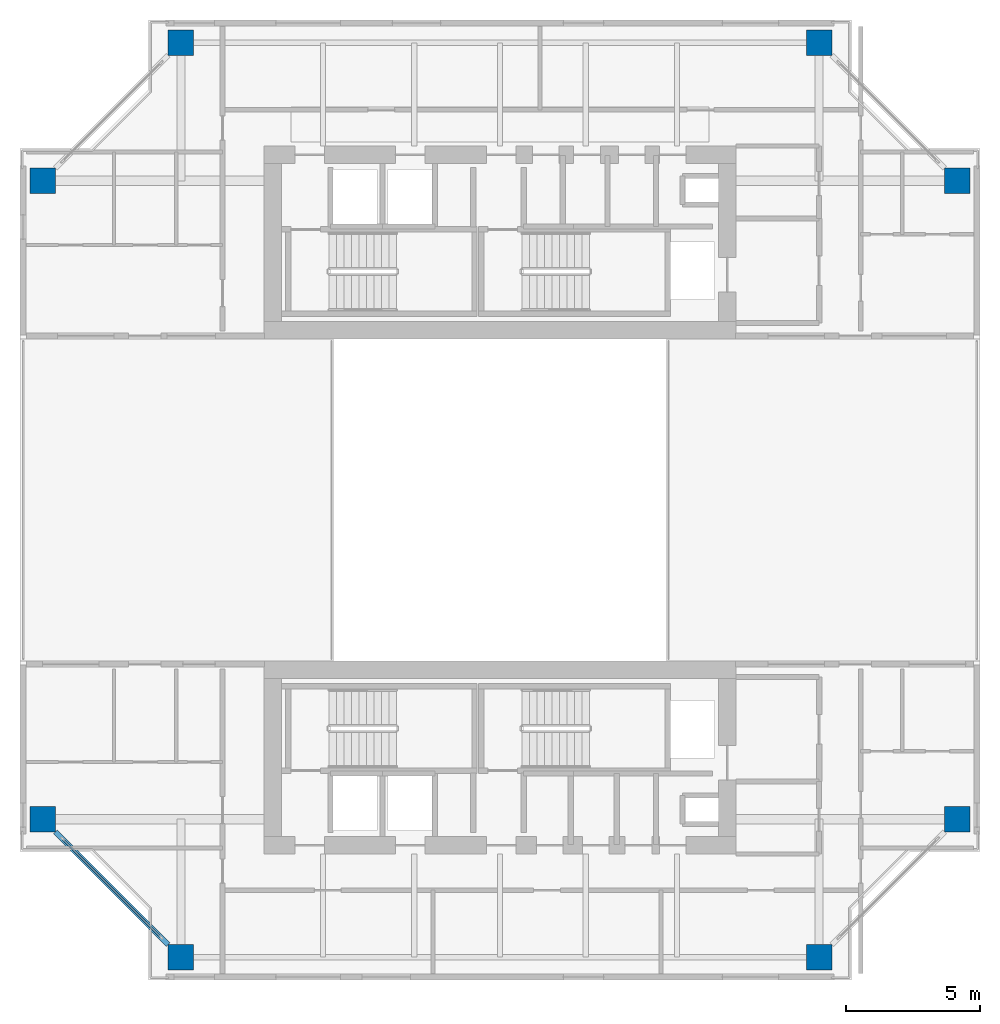
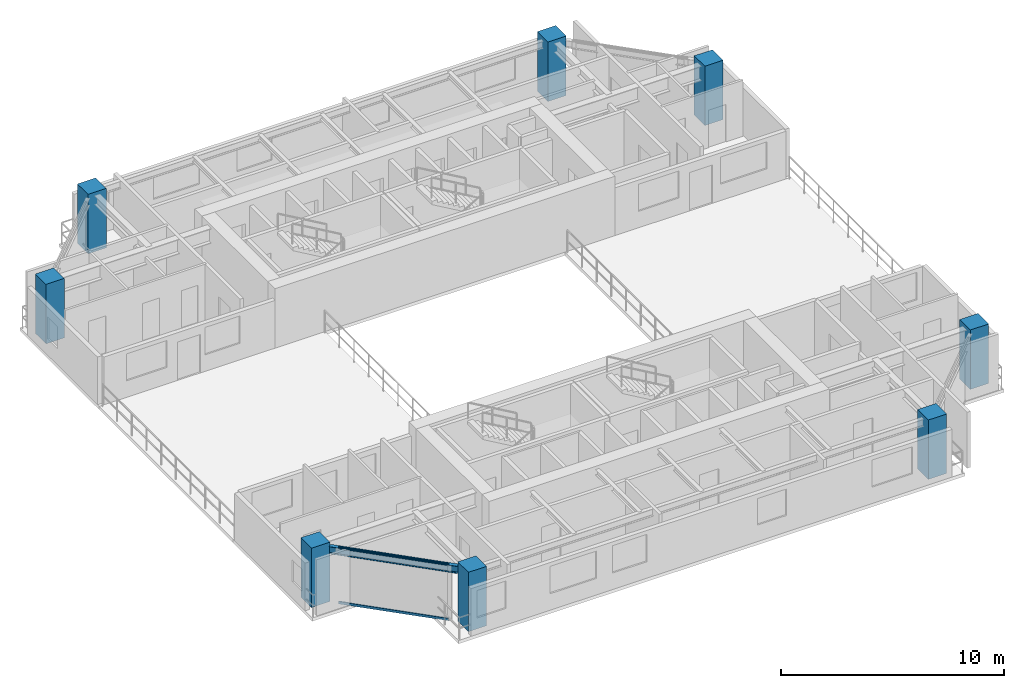
# One storey, part 1 of 14: 8 columns, 2 members, 1 beam, 1 element without a shape of its own.
"""IFC4 building model written with IfcOpenShell, lengths in metres."""

from ifc_helpers import new_model, si_unit, direction, frame, origin, origin_2d, place, context, subcontext, project, spatial, rectangle, i_section, extrude, source, transform, mapped, material, layer, layer_set, material_profile, profile_set, type_object, element, aggregate, save


model = new_model("IFC4")

# Units and contexts
model_context = context("Model", 3, precision=1e-05, world=origin(), true_north=direction((0.0, 1.0)))
body_context = subcontext(model_context, "Body", "Model", "MODEL_VIEW")
ifc_project = project(units=[si_unit("LENGTHUNIT", "METRE"), si_unit("AREAUNIT", "SQUARE_METRE"), si_unit("VOLUMEUNIT", "CUBIC_METRE"), si_unit("PLANEANGLEUNIT", "RADIAN"), si_unit("MASSUNIT", "GRAM", prefix="KILO"), si_unit("THERMODYNAMICTEMPERATUREUNIT", "KELVIN"), si_unit("POWERUNIT", "WATT")], contexts=[model_context])

# Site, building, storey
site_placement = place(None, origin())
site = spatial("IfcSite", under=ifc_project, at=site_placement, CompositionType="ELEMENT")
building_placement = place(site_placement, origin())
building = spatial("IfcBuilding", under=site, at=building_placement, Name="Qiaomeng Ring Towers", CompositionType="ELEMENT")
storey_placement = place(building_placement, frame((0.0, 0.0, 153.5)))
storey = spatial("IfcBuildingStorey", under=building, at=storey_placement, Name="L44", CompositionType="ELEMENT", Elevation=153.5)

# Columns
ifc_material_1 = material(Name="Concrete C50", Category="concrete")
ifc_material_profile_1 = material_profile(ifc_material_1, rectangle(XDim=0.949951171875, YDim=0.949951171875, at=origin_2d()), Name="RC COL 950x950")
ifc_profile_set_1 = profile_set([ifc_material_profile_1], Name="Concrete C50")
column_type = type_object("IfcColumnType", Name="STR-COL-950-C50", PredefinedType="COLUMN", material=ifc_profile_set_1)
shared_shape_1 = source(origin(), body_context, "Body", "SweptSolid", [
    extrude(rectangle(XDim=0.949951171875, YDim=0.949951171875, at=origin_2d()), origin(), (0.0, 0.0, 1.0), 3.25),
])
for number, where, z_axis, x_axis, name in (
    (1, (7.10009765625, 5.949951171875, 0.0), (0.0, 0.0, 1.0), (1.0, 0.0, 0.0), "L44 column STR-COL-L44-T1-S1"),
    (2, (30.89990234375, 5.949951171875, 0.0), (0.0, 0.0, 1.0), (1.0, 0.0, 0.0), "L44 column STR-COL-L44-T1-S2"),
    (3, (36.050048828125, 11.10009765625, 0.0), (0.0, 0.0, 1.0), (1.0, 0.0, 0.0), "L44 column STR-COL-L44-T1-E1"),
    (4, (36.050048828125, 34.89990234375, 0.0), (0.0, 0.0, 1.0), (1.0, 0.0, 0.0), "L44 column STR-COL-L44-T1-E4"),
    (5, (30.89990234375, 40.050048828125, 0.0), (0.0, 0.0, 1.0), (1.0, 0.0, 0.0), "L44 column STR-COL-L44-T1-N2"),
    (6, (7.10009765625, 40.050048828125, 0.0), (0.0, 0.0, 1.0), (1.0, 0.0, 0.0), "L44 column STR-COL-L44-T1-N1"),
    (7, (1.949951171875, 34.89990234375, 0.0), (0.0, 0.0, 1.0), (1.0, 0.0, 0.0), "L44 column STR-COL-L44-T1-W4"),
    (8, (1.949951171875, 11.10009765625, 0.0), (0.0, 0.0, 1.0), (1.0, 0.0, 0.0), "L44 column STR-COL-L44-T1-W1"),
):
    element("IfcColumn", number, at=place(storey_placement, frame(where, z_axis=z_axis, x_axis=x_axis)), inside=storey, type_object=column_type, Name=name, PredefinedType="COLUMN", context=body_context, shape_type="MappedRepresentation", body=[
        mapped(shared_shape_1, transform((0.0, 0.0, 0.0), x_axis=(1.0, 0.0, 0.0), y_axis=(0.0, 1.0, 0.0), z_axis=(0.0, 0.0, 1.0), scale=1.0)),
    ])

# Beam
ifc_material_2 = material(Name="Steel Q355B", Category="steel")
ifc_material_profile_2 = material_profile(ifc_material_2, i_section(OverallWidth=0.199951171875, OverallDepth=0.39990234375, WebThickness=0.008056640625, FlangeThickness=0.012939453125, FilletRadius=0.01611328125, at=origin_2d()), Name="HN 400x200x8x13")
ifc_profile_set_2 = profile_set([ifc_material_profile_2], Name="Steel Q355B")
beam_type = type_object("IfcBeamType", Name="STR-BM-HN400", PredefinedType="SPANDREL", material=ifc_profile_set_2)
shared_shape_2 = source(origin(), body_context, "Body", "SweptSolid", [
    extrude(i_section(OverallWidth=0.199951171875, OverallDepth=0.39990234375, WebThickness=0.008056640625, FlangeThickness=0.012939453125, FilletRadius=0.01611328125, at=origin_2d()), origin(), (0.0, 0.0, 1.0), 5.941650390625),
])
beam_placement = place(storey_placement, frame((2.42431640625, 10.625732421875, 2.8701171875), z_axis=(0.707106781187, -0.707106781187, 0.0), x_axis=(0.707106781187, 0.707106781187, 0.0)))
element("IfcBeam", 9, at=beam_placement, inside=storey, type_object=beam_type, Name="L44 beam STR-SP-L44-T1-W1-S1", PredefinedType="SPANDREL", context=body_context, shape_type="MappedRepresentation", body=[
    mapped(shared_shape_2, transform((0.0, 0.0, 0.0), x_axis=(1.0, 0.0, 0.0), y_axis=(0.0, 1.0, 0.0), z_axis=(0.0, 0.0, 1.0), scale=1.0)),
])

# Curtain wall, members
ifc_material_3 = material(Name="Fluorocarbon dark-grey aluminium", Category="aluminium")
ifc_layer = layer(ifc_material_3, 0.14990234375, Name="Fluorocarbon dark-grey aluminium")
ifc_layer_set = layer_set([ifc_layer], Name="Fluorocarbon dark-grey aluminium")
curtain_wall_type = type_object("IfcCurtainWallType", Name="ARC-CW-3", PredefinedType="NOTDEFINED", material=ifc_layer_set)
curtain_wall_placement = place(storey_placement, origin())
curtain_wall = element("IfcCurtainWall", 10, at=curtain_wall_placement, inside=storey, type_object=curtain_wall_type, Name="L44 Curtain Wall CW3", PredefinedType="NOTDEFINED")
ifc_material_profile_3 = material_profile(ifc_material_3, rectangle(XDim=0.06494140625, YDim=0.1298828125, at=origin_2d()), Name="ALU TRAN 65x130")
ifc_profile_set_3 = profile_set([ifc_material_profile_3], Name="Fluorocarbon dark-grey aluminium")
member_type = type_object("IfcMemberType", Name="ARC-CWT-120", PredefinedType="USERDEFINED", material=ifc_profile_set_3)
shared_shape_3 = source(origin(), body_context, "Body", "SweptSolid", [
    extrude(rectangle(XDim=0.06494140625, YDim=0.1298828125, at=origin_2d()), origin(), (0.0, 0.0, 1.0), 5.12060546875),
])
member_1_placement = place(storey_placement, frame((2.714599609375, 10.33544921875, 0.032470703125), z_axis=(0.707106781187, -0.707106781187, 0.0), x_axis=(0.707106781187, 0.707106781187, 0.0)))
member_1 = element("IfcMember", 11, at=member_1_placement, type_object=member_type, Name="CW3 transom 1.1", ObjectType="TRANSOM", PredefinedType="USERDEFINED", context=body_context, shape_type="MappedRepresentation", body=[
    mapped(shared_shape_3, transform((0.0, 0.0, 0.0), x_axis=(1.0, 0.0, 0.0), y_axis=(0.0, 1.0, 0.0), z_axis=(0.0, 0.0, 1.0), scale=1.0)),
])
member_2_placement = place(storey_placement, frame((2.714599609375, 10.33544921875, 3.03759765625), z_axis=(0.707106781187, -0.707106781187, 0.0), x_axis=(0.707106781187, 0.707106781187, 0.0)))
member_2 = element("IfcMember", 12, at=member_2_placement, type_object=member_type, Name="CW3 transom 1.2", ObjectType="TRANSOM", PredefinedType="USERDEFINED", context=body_context, shape_type="MappedRepresentation", body=[
    mapped(shared_shape_3, transform((0.0, 0.0, 0.0), x_axis=(1.0, 0.0, 0.0), y_axis=(0.0, 1.0, 0.0), z_axis=(0.0, 0.0, 1.0), scale=1.0)),
])
aggregate(curtain_wall, [member_1, member_2])

save(model, "model.ifc")
